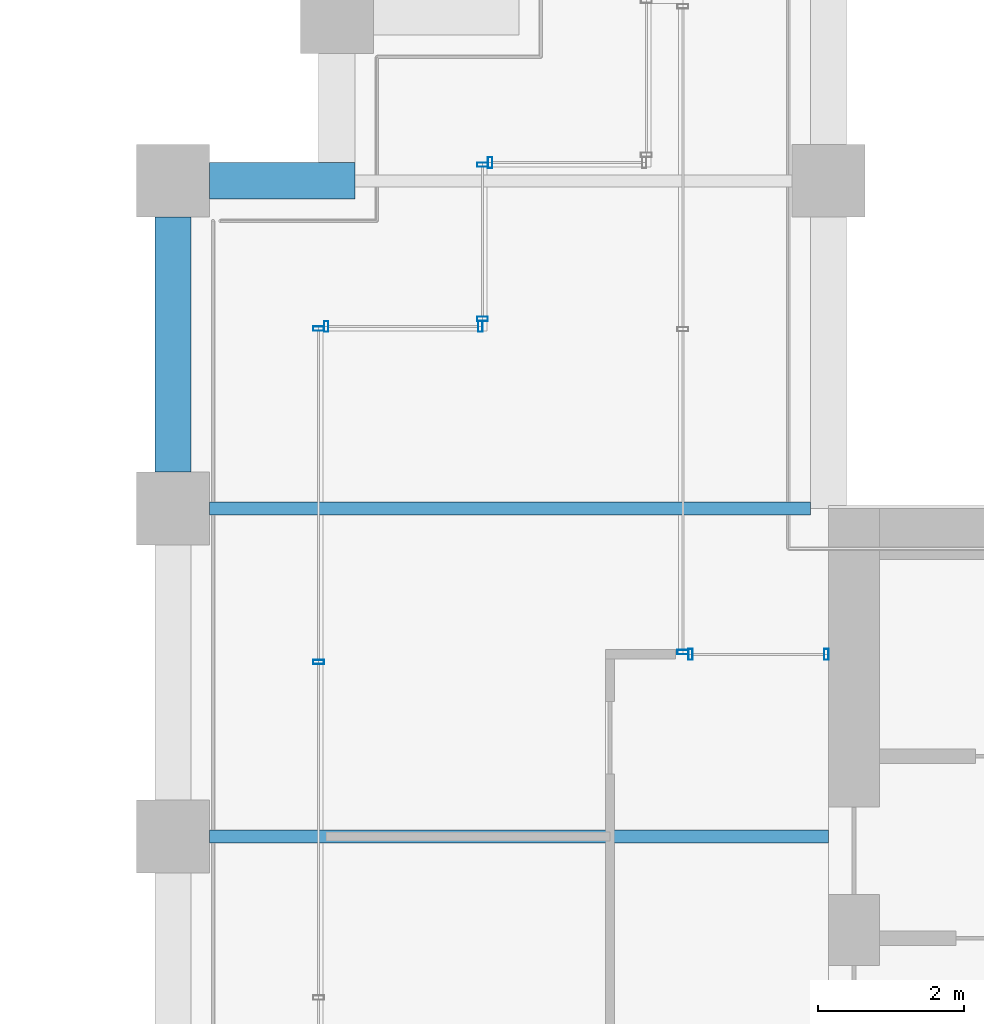
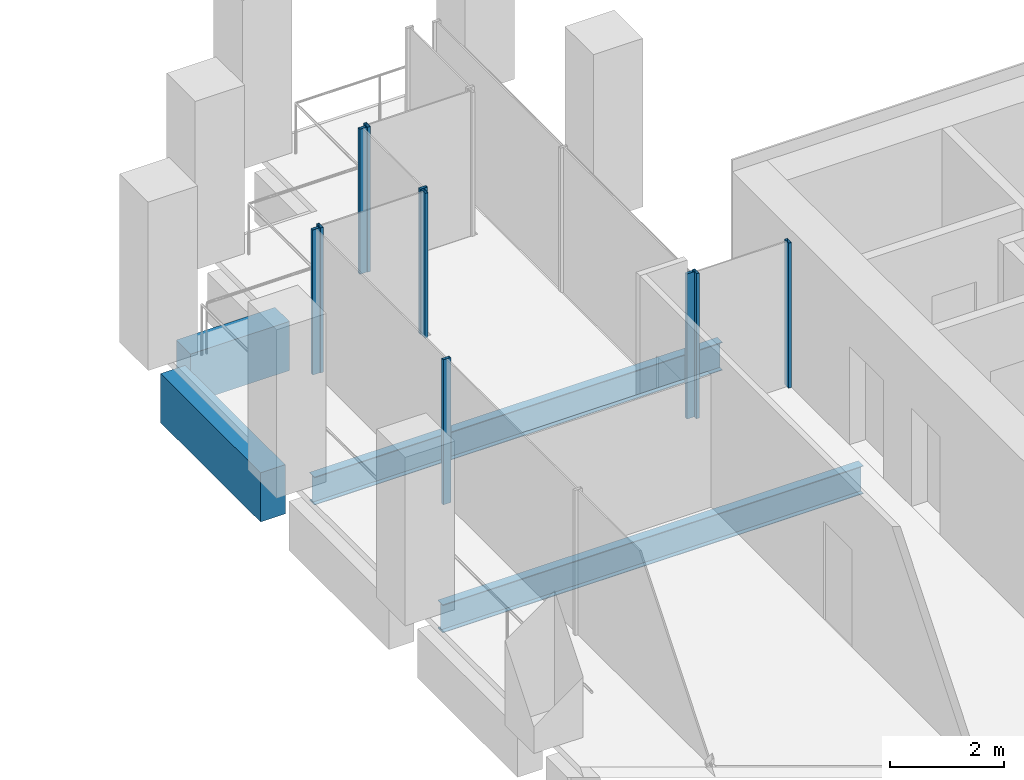
# One storey, part 34 of 46: 10 members, 4 beams, 6 elements without a shape of their own.
"""IFC4 building model written with IfcOpenShell, lengths in metres."""

from ifc_helpers import new_model, si_unit, direction, frame, origin, origin_2d, place, context, subcontext, project, spatial, rectangle, hollow_rectangle, i_section, extrude, material, material_profile, profile_set, type_object, element, aggregate, save


model = new_model("IFC4")

# Units and contexts
model_context = context("Model", 3, precision=1e-05, world=origin(), true_north=direction((0.0, 1.0)))
body_context = subcontext(model_context, "Body", "Model", "MODEL_VIEW")
ifc_project = project(units=[si_unit("LENGTHUNIT", "METRE"), si_unit("AREAUNIT", "SQUARE_METRE"), si_unit("VOLUMEUNIT", "CUBIC_METRE"), si_unit("PLANEANGLEUNIT", "RADIAN"), si_unit("MASSUNIT", "GRAM", prefix="KILO")], contexts=[model_context])

# Site, building, storey
site_placement = place(None, origin())
site = spatial("IfcSite", under=ifc_project, at=site_placement, CompositionType="ELEMENT")
building_placement = place(site_placement, origin())
building = spatial("IfcBuilding", under=site, at=building_placement, Name="Altepetl Exchange Towers", CompositionType="ELEMENT")
storey_placement = place(building_placement, frame((0.0, 0.0, 131.60009765625)))
storey = spatial("IfcBuildingStorey", under=building, at=storey_placement, Name="L32", CompositionType="ELEMENT", Elevation=131.60009765625)

# Beams
ifc_material_1 = material(Name="Steel S355", Category="steel")
ifc_material_profile_1 = material_profile(ifc_material_1, i_section(OverallWidth=0.177978515625, OverallDepth=0.59912109375, WebThickness=0.010009765625, FlangeThickness=0.0126953125, at=origin_2d()), Name="W24X55")
ifc_profile_set_1 = profile_set([ifc_material_profile_1], Name="Steel S355")
beam_type_1 = type_object("IfcBeamType", Name="Floor beam W24X55", PredefinedType="BEAM", material=ifc_profile_set_1)
beam_1_placement = place(storey_placement, frame((95.0, 45.0, -0.44970703125), z_axis=(1.0, 0.0, 0.0), x_axis=(0.0, 1.0, 0.0)))
element("IfcBeam", 1, at=beam_1_placement, inside=storey, type_object=beam_type_1, Name="bm:B:L32:009", PredefinedType="BEAM", context=body_context, shape_type="SweptSolid", body=[
    extrude(i_section(OverallWidth=0.177978515625, OverallDepth=0.59912109375, WebThickness=0.010009765625, FlangeThickness=0.0126953125, at=origin_2d()), origin(), (0.0, 0.0, 1.0), 8.5),
])
beam_2_placement = place(storey_placement, frame((95.0, 49.5, -0.44970703125), z_axis=(1.0, 0.0, 0.0), x_axis=(0.0, 1.0, 0.0)))
element("IfcBeam", 2, at=beam_2_placement, inside=storey, type_object=beam_type_1, Name="bm:B:L32:010", PredefinedType="BEAM", context=body_context, shape_type="SweptSolid", body=[
    extrude(i_section(OverallWidth=0.177978515625, OverallDepth=0.59912109375, WebThickness=0.010009765625, FlangeThickness=0.0126953125, at=origin_2d()), origin(), (0.0, 0.0, 1.0), 8.25),
])

# Curtain wall, members
ifc_material_2 = material(Name="Aluminium 6063-T6 glazing", Category="aluminium")
curtain_wall_type = type_object("IfcCurtainWallType", Name="Loggia glazing system", PredefinedType="NOTDEFINED", material=ifc_material_2)
curtain_wall_1_placement = place(storey_placement, origin())
curtain_wall_1 = element("IfcCurtainWall", 3, at=curtain_wall_1_placement, inside=storey, type_object=curtain_wall_type, Name="CW1 run", PredefinedType="NOTDEFINED")
ifc_material_3 = material(Name="Aluminium 6063-T6", Category="aluminium")
ifc_material_profile_2 = material_profile(ifc_material_3, hollow_rectangle(XDim=0.06005859375, YDim=0.14990234375, WallThickness=0.0029296875, at=origin_2d()), Name="Mullion 60x150 aluminium")
ifc_profile_set_2 = profile_set([ifc_material_profile_2], Name="Aluminium 6063-T6")
member_type = type_object("IfcMemberType", Name="Mullion 60x150 aluminium", PredefinedType="MULLION", material=ifc_profile_set_2)
member_1_placement = place(storey_placement, frame((98.719970703125, 52.0, 0.0), z_axis=(0.0, 0.0, 1.0), x_axis=(-1.0, 0.0, 0.0)))
member_1 = element("IfcMember", 4, at=member_1_placement, type_object=member_type, Name="MU1 mullion", PredefinedType="MULLION", context=body_context, shape_type="SweptSolid", body=[
    extrude(hollow_rectangle(XDim=0.06005859375, YDim=0.14990234375, WallThickness=0.0029296875, at=origin_2d()), origin(), (0.0, 0.0, 1.0), 3.099853515625),
])
member_2_placement = place(storey_placement, frame((96.60498046875, 52.0, 0.0), z_axis=(0.0, 0.0, 1.0), x_axis=(-1.0, 0.0, 0.0)))
member_2 = element("IfcMember", 5, at=member_2_placement, type_object=member_type, Name="MU1 mullion", PredefinedType="MULLION", context=body_context, shape_type="SweptSolid", body=[
    extrude(hollow_rectangle(XDim=0.06005859375, YDim=0.14990234375, WallThickness=0.0029296875, at=origin_2d()), origin(), (0.0, 0.0, 1.0), 3.099853515625),
])
aggregate(curtain_wall_1, [member_1, member_2])

curtain_wall_2_placement = place(storey_placement, origin())
curtain_wall_2 = element("IfcCurtainWall", 6, at=curtain_wall_2_placement, inside=storey, type_object=curtain_wall_type, Name="CW1 run", PredefinedType="NOTDEFINED")
member_3_placement = place(storey_placement, frame((96.5, 51.969970703125, 0.0), z_axis=(0.0, 0.0, 1.0), x_axis=(0.0, -1.0, 0.0)))
member_3 = element("IfcMember", 7, at=member_3_placement, type_object=member_type, Name="MU1 mullion", PredefinedType="MULLION", context=body_context, shape_type="SweptSolid", body=[
    extrude(hollow_rectangle(XDim=0.06005859375, YDim=0.14990234375, WallThickness=0.0029296875, at=origin_2d()), origin(), (0.0, 0.0, 1.0), 3.099853515625),
])
member_4_placement = place(storey_placement, frame((96.5, 47.393798828125, 0.0), z_axis=(0.0, 0.0, 1.0), x_axis=(0.0, -1.0, 0.0)))
member_4 = element("IfcMember", 8, at=member_4_placement, type_object=member_type, Name="MU1 mullion", PredefinedType="MULLION", context=body_context, shape_type="SweptSolid", body=[
    extrude(hollow_rectangle(XDim=0.06005859375, YDim=0.14990234375, WallThickness=0.0029296875, at=origin_2d()), origin(), (0.0, 0.0, 1.0), 3.099853515625),
])
aggregate(curtain_wall_2, [member_3, member_4])

curtain_wall_3_placement = place(storey_placement, origin())
curtain_wall_3 = element("IfcCurtainWall", 9, at=curtain_wall_3_placement, inside=storey, type_object=curtain_wall_type, Name="CW1 run", PredefinedType="NOTDEFINED")
member_5_placement = place(storey_placement, frame((103.469970703125, 47.5, 0.0), z_axis=(0.0, 0.0, 1.0), x_axis=(-1.0, 0.0, 0.0)))
member_5 = element("IfcMember", 10, at=member_5_placement, type_object=member_type, Name="MU1 mullion", PredefinedType="MULLION", context=body_context, shape_type="SweptSolid", body=[
    extrude(hollow_rectangle(XDim=0.06005859375, YDim=0.14990234375, WallThickness=0.0029296875, at=origin_2d()), origin(), (0.0, 0.0, 1.0), 3.099853515625),
])
member_6_placement = place(storey_placement, frame((101.60498046875, 47.5, 0.0), z_axis=(0.0, 0.0, 1.0), x_axis=(-1.0, 0.0, 0.0)))
member_6 = element("IfcMember", 11, at=member_6_placement, type_object=member_type, Name="MU1 mullion", PredefinedType="MULLION", context=body_context, shape_type="SweptSolid", body=[
    extrude(hollow_rectangle(XDim=0.06005859375, YDim=0.14990234375, WallThickness=0.0029296875, at=origin_2d()), origin(), (0.0, 0.0, 1.0), 3.099853515625),
])
aggregate(curtain_wall_3, [member_5, member_6])

# Curtain wall, member
curtain_wall_4_placement = place(storey_placement, origin())
curtain_wall_4 = element("IfcCurtainWall", 12, at=curtain_wall_4_placement, inside=storey, type_object=curtain_wall_type, Name="CW1 run", PredefinedType="NOTDEFINED")
member_7_placement = place(storey_placement, frame((101.5, 47.530029296875, 0.0), z_axis=(0.0, 0.0, 1.0), x_axis=(0.0, 1.0, 0.0)))
member_7 = element("IfcMember", 13, at=member_7_placement, type_object=member_type, Name="MU1 mullion", PredefinedType="MULLION", context=body_context, shape_type="SweptSolid", body=[
    extrude(hollow_rectangle(XDim=0.06005859375, YDim=0.14990234375, WallThickness=0.0029296875, at=origin_2d()), origin(), (0.0, 0.0, 1.0), 3.099853515625),
])
aggregate(curtain_wall_4, [member_7])

curtain_wall_5_placement = place(storey_placement, origin())
curtain_wall_5 = element("IfcCurtainWall", 14, at=curtain_wall_5_placement, inside=storey, type_object=curtain_wall_type, Name="CW1 run", PredefinedType="NOTDEFINED")
member_8_placement = place(storey_placement, frame((98.85498046875, 54.25, 0.0), z_axis=(0.0, 0.0, 1.0), x_axis=(-1.0, 0.0, 0.0)))
member_8 = element("IfcMember", 15, at=member_8_placement, type_object=member_type, Name="MU1 mullion", PredefinedType="MULLION", context=body_context, shape_type="SweptSolid", body=[
    extrude(hollow_rectangle(XDim=0.06005859375, YDim=0.14990234375, WallThickness=0.0029296875, at=origin_2d()), origin(), (0.0, 0.0, 1.0), 3.099853515625),
])
aggregate(curtain_wall_5, [member_8])

# Curtain wall, members
curtain_wall_6_placement = place(storey_placement, origin())
curtain_wall_6 = element("IfcCurtainWall", 16, at=curtain_wall_6_placement, inside=storey, type_object=curtain_wall_type, Name="CW1 run", PredefinedType="NOTDEFINED")
member_9_placement = place(storey_placement, frame((98.75, 54.219970703125, 0.0), z_axis=(0.0, 0.0, 1.0), x_axis=(0.0, -1.0, 0.0)))
member_9 = element("IfcMember", 17, at=member_9_placement, type_object=member_type, Name="MU1 mullion", PredefinedType="MULLION", context=body_context, shape_type="SweptSolid", body=[
    extrude(hollow_rectangle(XDim=0.06005859375, YDim=0.14990234375, WallThickness=0.0029296875, at=origin_2d()), origin(), (0.0, 0.0, 1.0), 3.099853515625),
])
member_10_placement = place(storey_placement, frame((98.75, 52.10498046875, 0.0), z_axis=(0.0, 0.0, 1.0), x_axis=(0.0, -1.0, 0.0)))
member_10 = element("IfcMember", 18, at=member_10_placement, type_object=member_type, Name="MU1 mullion", PredefinedType="MULLION", context=body_context, shape_type="SweptSolid", body=[
    extrude(hollow_rectangle(XDim=0.06005859375, YDim=0.14990234375, WallThickness=0.0029296875, at=origin_2d()), origin(), (0.0, 0.0, 1.0), 3.099853515625),
])
aggregate(curtain_wall_6, [member_9, member_10])

# Beams
ifc_material_4 = material(Name="Concrete C50/60 precast with cantera rosa facing", Category="concrete")
ifc_material_profile_3 = material_profile(ifc_material_4, rectangle(XDim=0.5, YDim=1.050048828125, at=origin_2d()), Name="500 x 1050")
ifc_profile_set_3 = profile_set([ifc_material_profile_3], Name="Concrete C50/60 precast with cantera rosa facing")
beam_type_2 = type_object("IfcBeamType", Name="Spandrel beam 500x1050 cantera rosa", PredefinedType="SPANDREL", material=ifc_profile_set_3)
beam_3_placement = place(storey_placement, frame((97.0, 54.0, -0.675048828125), z_axis=(-1.0, 0.0, 0.0), x_axis=(0.0, -1.0, 0.0)))
element("IfcBeam", 19, at=beam_3_placement, inside=storey, type_object=beam_type_2, Name="sp:B:L32:021", PredefinedType="SPANDREL", context=body_context, shape_type="SweptSolid", body=[
    extrude(rectangle(XDim=0.5, YDim=1.050048828125, at=origin_2d()), origin(), (0.0, 0.0, 1.0), 2.0),
])
beam_4_placement = place(storey_placement, frame((94.5, 53.5, -0.675048828125), z_axis=(0.0, -1.0, 0.0), x_axis=(1.0, 0.0, 0.0)))
element("IfcBeam", 20, at=beam_4_placement, inside=storey, type_object=beam_type_2, Name="sp:B:L32:022", PredefinedType="SPANDREL", context=body_context, shape_type="SweptSolid", body=[
    extrude(rectangle(XDim=0.5, YDim=1.050048828125, at=origin_2d()), origin(), (0.0, 0.0, 1.0), 3.5),
])

save(model, "model.ifc")
